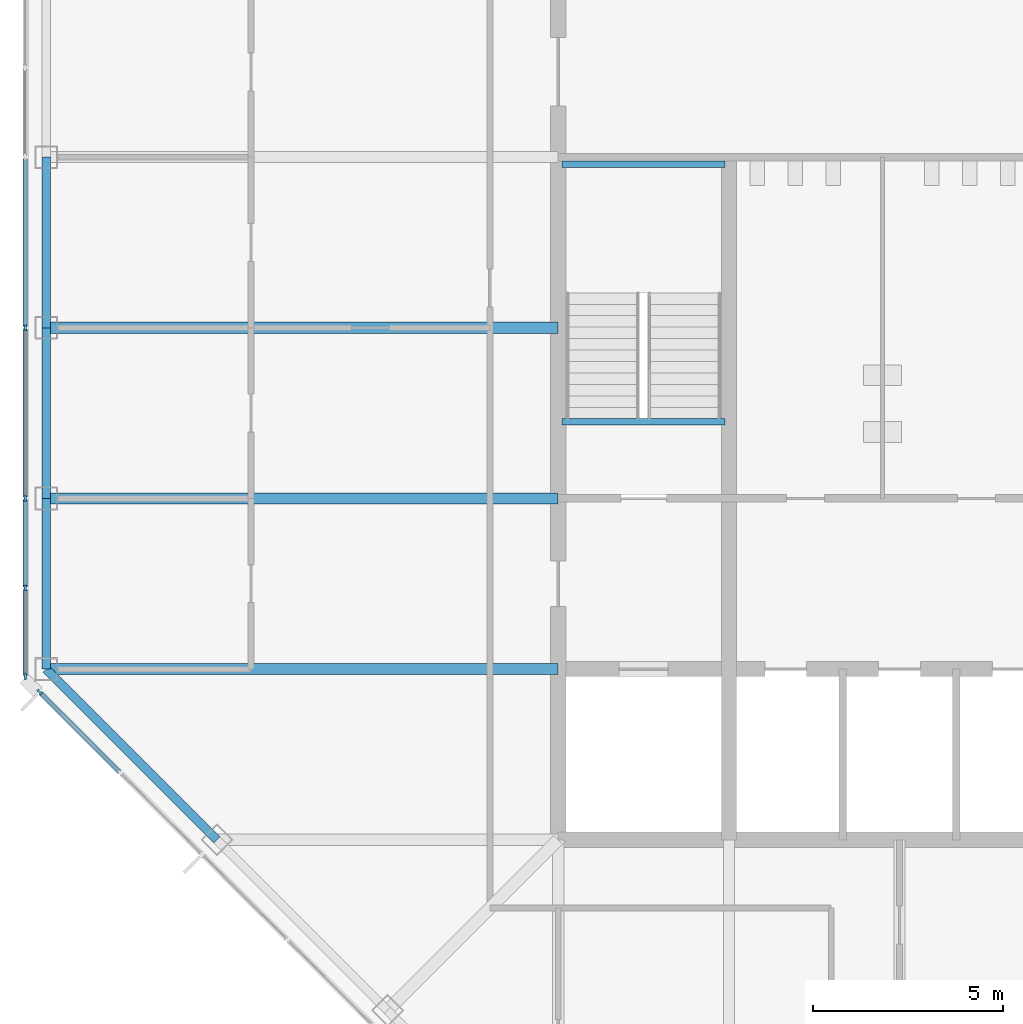
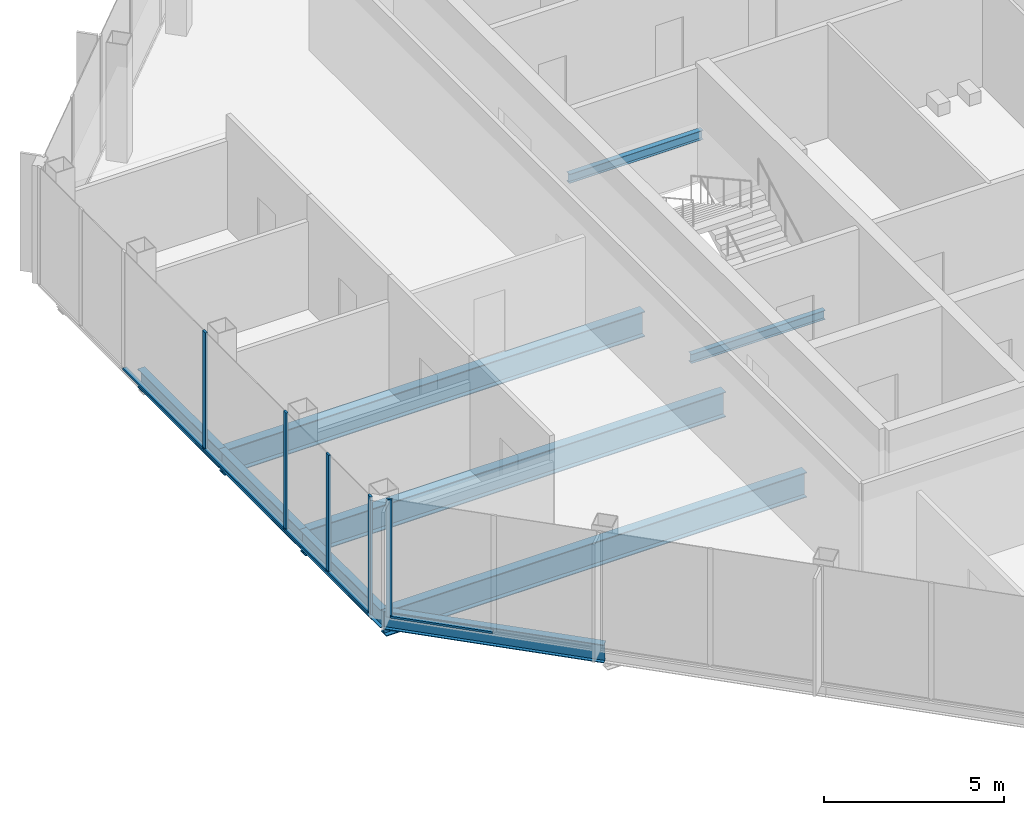
# One storey, part 3 of 14: 10 members, 9 beams, 2 elements without a shape of their own.
"""IFC4 building model written with IfcOpenShell, lengths in metres."""

from ifc_helpers import new_model, si_unit, direction, frame, origin, origin_2d, place, context, subcontext, project, spatial, rectangle, i_section, extrude, material, material_profile, profile_set, type_object, element, aggregate, save


model = new_model("IFC4")

# Units and contexts
model_context = context("Model", 3, precision=1e-05, world=origin(), true_north=direction((0.0, 1.0)))
body_context = subcontext(model_context, "Body", "Model", "MODEL_VIEW")
ifc_project = project(units=[si_unit("LENGTHUNIT", "METRE"), si_unit("AREAUNIT", "SQUARE_METRE"), si_unit("VOLUMEUNIT", "CUBIC_METRE"), si_unit("PLANEANGLEUNIT", "RADIAN"), si_unit("MASSUNIT", "GRAM", prefix="KILO")], contexts=[model_context])

# Site, building, storey
site_placement = place(None, origin())
site = spatial("IfcSite", under=ifc_project, at=site_placement, CompositionType="ELEMENT")
building_placement = place(site_placement, origin())
building = spatial("IfcBuilding", under=site, at=building_placement, Name="Corais Broadcast Tower", CompositionType="ELEMENT")
storey_placement = place(building_placement, frame((0.0, 0.0, 266.60009765625)))
storey = spatial("IfcBuildingStorey", under=building, at=storey_placement, Name="L62", CompositionType="ELEMENT", Elevation=266.60009765625)

# Beams
ifc_material_1 = material(Name="Steel ASTM A572 Grade 50", Category="steel")
ifc_material_profile_1 = material_profile(ifc_material_1, i_section(OverallWidth=0.2939453125, OverallDepth=0.85107421875, WebThickness=0.01611328125, FlangeThickness=0.02685546875, at=origin_2d()), Name="W840x226")
ifc_profile_set_1 = profile_set([ifc_material_profile_1], Name="Steel ASTM A572 Grade 50")
beam_type_1 = type_object("IfcBeamType", Name="Floor beam W840x226", PredefinedType="BEAM", material=ifc_profile_set_1)
for number, where, z_axis, x_axis, name in (
    (1, (0.0, 18.0, -0.585693359375), (1.0, 0.0, 0.0), (0.0, 1.0, 0.0), "B1 E/3 to E/6"),
    (2, (0.0, 22.5, -0.585693359375), (1.0, 0.0, 0.0), (0.0, 1.0, 0.0), "B1 F/3 to F/6"),
    (3, (0.0, 27.0, -0.585693359375), (1.0, 0.0, 0.0), (0.0, 1.0, 0.0), "B1 G/3 to G/6"),
):
    element("IfcBeam", number, at=place(storey_placement, frame(where, z_axis=z_axis, x_axis=x_axis)), inside=storey, type_object=beam_type_1, Name=name, PredefinedType="BEAM", context=body_context, shape_type="SweptSolid", body=[
        extrude(i_section(OverallWidth=0.2939453125, OverallDepth=0.85107421875, WebThickness=0.01611328125, FlangeThickness=0.02685546875, at=origin_2d()), origin(), (0.0, 0.0, 1.0), 13.5),
    ])
ifc_material_2 = material(Name="Steel ASTM A572 Grade 50", Category="steel")
ifc_material_profile_2 = material_profile(ifc_material_2, i_section(OverallWidth=0.1650390625, OverallDepth=0.31005859375, WebThickness=0.005859375, FlangeThickness=0.009765625, at=origin_2d()), Name="W310x38.7")
ifc_profile_set_2 = profile_set([ifc_material_profile_2], Name="Steel ASTM A572 Grade 50")
beam_type_2 = type_object("IfcBeamType", Name="Landing trimmer W310x38.7", PredefinedType="BEAM", material=ifc_profile_set_2)
for number, where, z_axis, x_axis, name in (
    (4, (13.60009765625, 24.52490234375, -0.35498046875), (1.0, 0.0, 0.0), (0.0, 1.0, 0.0), "LT1 stair A landing trimmer L62"),
    (5, (13.60009765625, 31.31005859375, 1.64501953125), (1.0, 0.0, 0.0), (0.0, 1.0, 0.0), "LT1 stair A half landing trimmer L62"),
):
    element("IfcBeam", number, at=place(storey_placement, frame(where, z_axis=z_axis, x_axis=x_axis)), inside=storey, type_object=beam_type_2, Name=name, PredefinedType="BEAM", context=body_context, shape_type="SweptSolid", body=[
        extrude(i_section(OverallWidth=0.1650390625, OverallDepth=0.31005859375, WebThickness=0.005859375, FlangeThickness=0.009765625, at=origin_2d()), origin(), (0.0, 0.0, 1.0), 4.2998046875),
    ])

# Curtain wall, member
ifc_material_3 = material(Name="Aluminium and glass", Category="aluminium")
curtain_wall_type = type_object("IfcCurtainWallType", Name="Unitised fritted curtain wall CW3", PredefinedType="NOTDEFINED", material=ifc_material_3)
curtain_wall_1_placement = place(storey_placement, origin())
curtain_wall_1 = element("IfcCurtainWall", 6, at=curtain_wall_1_placement, inside=storey, type_object=curtain_wall_type, Name="CW3 curtain wall L62 1", PredefinedType="NOTDEFINED")
ifc_material_4 = material(Name="Aluminium 6063-T6", Category="aluminium")
ifc_material_profile_3 = material_profile(ifc_material_4, rectangle(XDim=0.06494140625, YDim=0.159912109375, at=origin_2d()), Name="Mullion CW3 65x160")
ifc_profile_set_3 = profile_set([ifc_material_profile_3], Name="Aluminium 6063-T6")
member_type_1 = type_object("IfcMemberType", Name="Mullion CW3 65x160", PredefinedType="MULLION", material=ifc_profile_set_3)
member_1_placement = place(storey_placement, frame((-0.17333984375, 17.3955078125, 0.0), z_axis=(0.0, 0.0, 1.0), x_axis=(-0.707106781187, -0.707106781187, 0.0)))
member_1 = element("IfcMember", 7, at=member_1_placement, type_object=member_type_1, Name="CW3 mullion 9", PredefinedType="MULLION", context=body_context, shape_type="SweptSolid", body=[
    extrude(rectangle(XDim=0.06494140625, YDim=0.159912109375, at=origin_2d()), origin(), (0.0, 0.0, 1.0), 4.0),
])

# Curtain wall, members
curtain_wall_2_placement = place(storey_placement, origin())
curtain_wall_2 = element("IfcCurtainWall", 8, at=curtain_wall_2_placement, inside=storey, type_object=curtain_wall_type, Name="CW3 curtain wall L62 2", PredefinedType="NOTDEFINED")
member_2_placement = place(storey_placement, frame((-0.550048828125, 17.8046875, 0.0), z_axis=(0.0, 0.0, 1.0), x_axis=(-1.0, 0.0, 0.0)))
member_2 = element("IfcMember", 9, at=member_2_placement, type_object=member_type_1, Name="CW3 mullion 1", PredefinedType="MULLION", context=body_context, shape_type="SweptSolid", body=[
    extrude(rectangle(XDim=0.06494140625, YDim=0.159912109375, at=origin_2d()), origin(), (0.0, 0.0, 1.0), 4.0),
])
member_3_placement = place(storey_placement, frame((-0.550048828125, 20.135986328125, 0.0), z_axis=(0.0, 0.0, 1.0), x_axis=(-1.0, 0.0, 0.0)))
member_3 = element("IfcMember", 10, at=member_3_placement, type_object=member_type_1, Name="CW3 mullion 2", PredefinedType="MULLION", context=body_context, shape_type="SweptSolid", body=[
    extrude(rectangle(XDim=0.06494140625, YDim=0.159912109375, at=origin_2d()), origin(), (0.0, 0.0, 1.0), 4.0),
])
member_4_placement = place(storey_placement, frame((-0.550048828125, 22.5, 0.0), z_axis=(0.0, 0.0, 1.0), x_axis=(-1.0, 0.0, 0.0)))
member_4 = element("IfcMember", 11, at=member_4_placement, type_object=member_type_1, Name="CW3 mullion 3", PredefinedType="MULLION", context=body_context, shape_type="SweptSolid", body=[
    extrude(rectangle(XDim=0.06494140625, YDim=0.159912109375, at=origin_2d()), origin(), (0.0, 0.0, 1.0), 4.0),
])
member_5_placement = place(storey_placement, frame((-0.550048828125, 27.0, 0.0), z_axis=(0.0, 0.0, 1.0), x_axis=(-1.0, 0.0, 0.0)))
member_5 = element("IfcMember", 12, at=member_5_placement, type_object=member_type_1, Name="CW3 mullion 4", PredefinedType="MULLION", context=body_context, shape_type="SweptSolid", body=[
    extrude(rectangle(XDim=0.06494140625, YDim=0.159912109375, at=origin_2d()), origin(), (0.0, 0.0, 1.0), 4.0),
])

# Beams
ifc_material_5 = material(Name="Steel ASTM A572 Grade 50", Category="steel")
ifc_material_profile_4 = material_profile(ifc_material_5, i_section(OverallWidth=0.22998046875, OverallDepth=0.616943359375, WebThickness=0.01318359375, FlangeThickness=0.022216796875, at=origin_2d()), Name="W610x140")
ifc_profile_set_4 = profile_set([ifc_material_profile_4], Name="Steel ASTM A572 Grade 50")
beam_type_3 = type_object("IfcBeamType", Name="Spandrel W610x140", PredefinedType="BEAM", material=ifc_profile_set_4)
beam_placement = place(storey_placement, frame((0.0, 18.0, -0.468505859375), z_axis=(0.707106781187, -0.707106781187, 0.0), x_axis=(0.707106781187, 0.707106781187, 0.0)))
element("IfcBeam", 13, at=beam_placement, inside=storey, type_object=beam_type_3, Name="SB3 E/3 to D/4", PredefinedType="BEAM", context=body_context, shape_type="SweptSolid", body=[
    extrude(i_section(OverallWidth=0.22998046875, OverallDepth=0.616943359375, WebThickness=0.01318359375, FlangeThickness=0.022216796875, at=origin_2d()), origin(), (0.0, 0.0, 1.0), 6.364013671875),
])
for number, where, z_axis, x_axis, name in (
    (14, (0.0, 22.5, -0.468505859375), (0.0, -1.0, 0.0), (1.0, 0.0, 0.0), "SB3 F/3 to E/3"),
    (15, (0.0, 27.0, -0.468505859375), (0.0, -1.0, 0.0), (1.0, 0.0, 0.0), "SB3 G/3 to F/3"),
    (16, (0.0, 31.5, -0.468505859375), (0.0, -1.0, 0.0), (1.0, 0.0, 0.0), "SB3 H/3 to G/3"),
):
    element("IfcBeam", number, at=place(storey_placement, frame(where, z_axis=z_axis, x_axis=x_axis)), inside=storey, type_object=beam_type_3, Name=name, PredefinedType="BEAM", context=body_context, shape_type="SweptSolid", body=[
        extrude(i_section(OverallWidth=0.22998046875, OverallDepth=0.616943359375, WebThickness=0.01318359375, FlangeThickness=0.022216796875, at=origin_2d()), origin(), (0.0, 0.0, 1.0), 4.5),
    ])

# Member
ifc_material_6 = material(Name="Aluminium 6063-T6", Category="aluminium")
ifc_material_profile_5 = material_profile(ifc_material_6, rectangle(XDim=0.1201171875, YDim=0.06494140625, at=origin_2d()), Name="Transom CW3 65x120")
ifc_profile_set_5 = profile_set([ifc_material_profile_5], Name="Aluminium 6063-T6")
member_type_2 = type_object("IfcMemberType", Name="Transom CW3 65x120", PredefinedType="USERDEFINED", material=ifc_profile_set_5)
member_6_placement = place(storey_placement, frame((1.934326171875, 15.287841796875, 0.032470703125), z_axis=(-0.707106781187, 0.707106781187, 0.0), x_axis=(-0.707106781187, -0.707106781187, 0.0)))
member_6 = element("IfcMember", 17, at=member_6_placement, type_object=member_type_2, Name="CW3 transom 8.1", ObjectType="TRANSOM", PredefinedType="USERDEFINED", context=body_context, shape_type="SweptSolid", body=[
    extrude(rectangle(XDim=0.1201171875, YDim=0.06494140625, at=origin_2d()), origin(), (0.0, 0.0, 1.0), 2.9482421875),
])

aggregate(curtain_wall_1, [member_1, member_6])

member_7_placement = place(storey_placement, frame((-0.550048828125, 17.837158203125, 0.032470703125), z_axis=(0.0, 1.0, 0.0), x_axis=(-1.0, 0.0, 0.0)))
member_7 = element("IfcMember", 18, at=member_7_placement, type_object=member_type_2, Name="CW3 transom 1.1", ObjectType="TRANSOM", PredefinedType="USERDEFINED", context=body_context, shape_type="SweptSolid", body=[
    extrude(rectangle(XDim=0.1201171875, YDim=0.06494140625, at=origin_2d()), origin(), (0.0, 0.0, 1.0), 2.266357421875),
])

member_8_placement = place(storey_placement, frame((-0.550048828125, 20.168701171875, 0.032470703125), z_axis=(0.0, 1.0, 0.0), x_axis=(-1.0, 0.0, 0.0)))
member_8 = element("IfcMember", 19, at=member_8_placement, type_object=member_type_2, Name="CW3 transom 2.1", ObjectType="TRANSOM", PredefinedType="USERDEFINED", context=body_context, shape_type="SweptSolid", body=[
    extrude(rectangle(XDim=0.1201171875, YDim=0.06494140625, at=origin_2d()), origin(), (0.0, 0.0, 1.0), 2.298828125),
])

member_9_placement = place(storey_placement, frame((-0.550048828125, 22.532470703125, 0.032470703125), z_axis=(0.0, 1.0, 0.0), x_axis=(-1.0, 0.0, 0.0)))
member_9 = element("IfcMember", 20, at=member_9_placement, type_object=member_type_2, Name="CW3 transom 3.1", ObjectType="TRANSOM", PredefinedType="USERDEFINED", context=body_context, shape_type="SweptSolid", body=[
    extrude(rectangle(XDim=0.1201171875, YDim=0.06494140625, at=origin_2d()), origin(), (0.0, 0.0, 1.0), 4.43505859375),
])

member_10_placement = place(storey_placement, frame((-0.550048828125, 27.032470703125, 0.032470703125), z_axis=(0.0, 1.0, 0.0), x_axis=(-1.0, 0.0, 0.0)))
member_10 = element("IfcMember", 21, at=member_10_placement, type_object=member_type_2, Name="CW3 transom 4.1", ObjectType="TRANSOM", PredefinedType="USERDEFINED", context=body_context, shape_type="SweptSolid", body=[
    extrude(rectangle(XDim=0.1201171875, YDim=0.06494140625, at=origin_2d()), origin(), (0.0, 0.0, 1.0), 4.43505859375),
])

aggregate(curtain_wall_2, [member_2, member_3, member_4, member_5, member_7, member_8, member_9, member_10])

save(model, "model.ifc")
